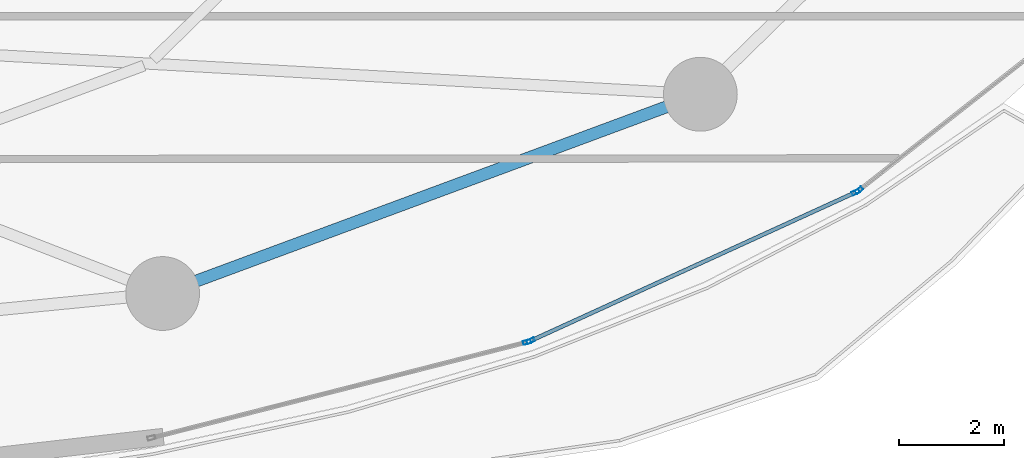
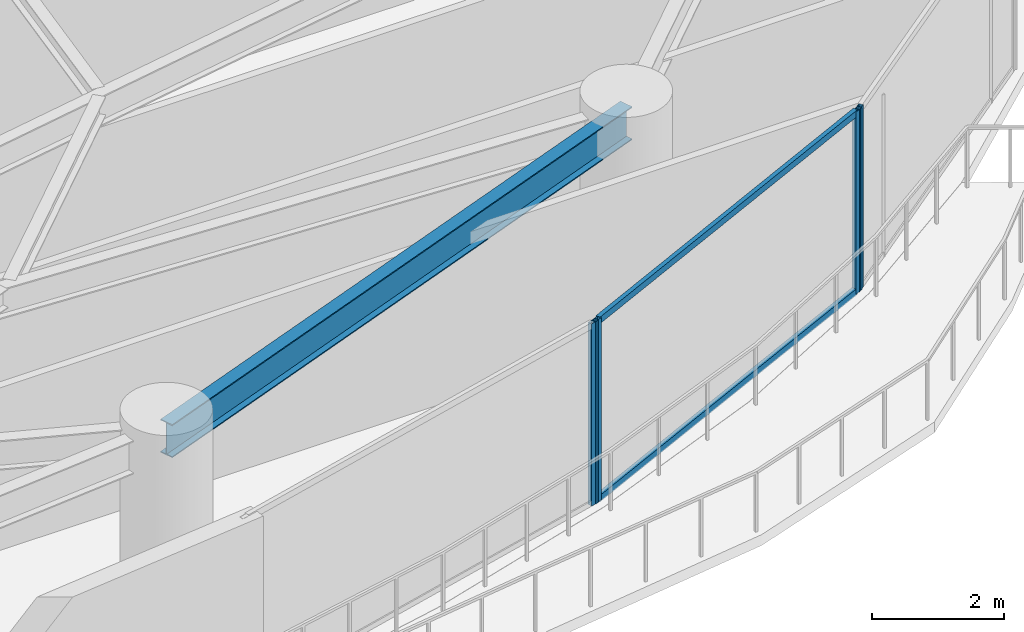
# One storey, part 13 of 32: 6 members, 1 beam, 3 elements without a shape of their own.
"""IFC4 building model written with IfcOpenShell, lengths in metres."""

from ifc_helpers import new_model, si_unit, direction, frame, origin, origin_2d, place, context, subcontext, project, spatial, hollow_rectangle, i_section, extrude, material, layer, layer_set, material_profile, profile_set, type_object, element, aggregate, save


model = new_model("IFC4")

# Units and contexts
model_context = context("Model", 3, precision=1e-05, world=origin(), true_north=direction((0.0, 1.0)))
body_context = subcontext(model_context, "Body", "Model", "MODEL_VIEW")
ifc_project = project(units=[si_unit("LENGTHUNIT", "METRE"), si_unit("AREAUNIT", "SQUARE_METRE"), si_unit("VOLUMEUNIT", "CUBIC_METRE"), si_unit("PLANEANGLEUNIT", "RADIAN"), si_unit("MASSUNIT", "GRAM", prefix="KILO")], contexts=[model_context])

# Site, building, storey
site_placement = place(None, origin())
site = spatial("IfcSite", under=ifc_project, at=site_placement, CompositionType="ELEMENT")
building_placement = place(site_placement, origin())
building = spatial("IfcBuilding", under=site, at=building_placement, Name="Kazevale Care Tower and Concert Hall", CompositionType="ELEMENT")
storey_placement = place(building_placement, frame((0.0, 0.0, 34.800048828125)))
storey = spatial("IfcBuildingStorey", under=building, at=storey_placement, Name="L08", CompositionType="ELEMENT", Elevation=34.800048828125)

# Curtain wall, member
ifc_material_1 = material(Name="Aluminium 6063-T6 and Low-E Glass", Category="aluminium")
ifc_layer = layer(ifc_material_1, 0.179931640625)
ifc_layer_set = layer_set([ifc_layer], Name="Aluminium 6063-T6 and Low-E Glass")
curtain_wall_type = type_object("IfcCurtainWallType", Name="Sheltered Concave Balcony Curtain Wall CW-5", PredefinedType="NOTDEFINED", material=ifc_layer_set)
curtain_wall_1_placement = place(storey_placement, origin())
curtain_wall_1 = element("IfcCurtainWall", 1, at=curtain_wall_1_placement, inside=storey, type_object=curtain_wall_type, Name="cw:L08:f02", PredefinedType="NOTDEFINED")
ifc_material_2 = material(Name="Aluminium 6063-T6", Category="aluminium")
ifc_material_profile_1 = material_profile(ifc_material_2, hollow_rectangle(XDim=0.074951171875, YDim=0.14990234375, WallThickness=0.00390625, at=origin_2d()), Name="ALU75x150x4")
ifc_profile_set_1 = profile_set([ifc_material_profile_1], Name="Aluminium 6063-T6")
member_type_1 = type_object("IfcMemberType", Name="CW-5 Mullion ALU75x150x4", PredefinedType="MULLION", material=ifc_profile_set_1)
member_1_placement = place(storey_placement, frame((70.25146484375, 20.490234375, 0.0), z_axis=(0.0, 0.0, 1.0), x_axis=(0.617807548814, -0.78632934107, 0.0)))
member_1 = element("IfcMember", 2, at=member_1_placement, type_object=member_type_1, Name="CW-5 mullion 2", PredefinedType="MULLION", context=body_context, shape_type="SweptSolid", body=[
    extrude(hollow_rectangle(XDim=0.074951171875, YDim=0.14990234375, WallThickness=0.00390625, at=origin_2d()), origin(), (0.0, 0.0, 1.0), 3.35986328125),
])
aggregate(curtain_wall_1, [member_1])

# Curtain wall, members
curtain_wall_2_placement = place(storey_placement, origin())
curtain_wall_2 = element("IfcCurtainWall", 3, at=curtain_wall_2_placement, inside=storey, type_object=curtain_wall_type, Name="cw:L08:f03", PredefinedType="NOTDEFINED")
member_2_placement = place(storey_placement, frame((70.18798828125, 20.451416015625, 0.0), z_axis=(0.0, 0.0, 1.0), x_axis=(0.415659767773, -0.909520179795, 0.0)))
member_2 = element("IfcMember", 4, at=member_2_placement, type_object=member_type_1, Name="CW-5 mullion 1", PredefinedType="MULLION", context=body_context, shape_type="SweptSolid", body=[
    extrude(hollow_rectangle(XDim=0.074951171875, YDim=0.14990234375, WallThickness=0.00390625, at=origin_2d()), origin(), (0.0, 0.0, 1.0), 3.35986328125),
])
member_3_placement = place(storey_placement, frame((64.022216796875, 17.633544921875, 0.0), z_axis=(0.0, 0.0, 1.0), x_axis=(0.415659767773, -0.909520179795, 0.0)))
member_3 = element("IfcMember", 5, at=member_3_placement, type_object=member_type_1, Name="CW-5 mullion 2", PredefinedType="MULLION", context=body_context, shape_type="SweptSolid", body=[
    extrude(hollow_rectangle(XDim=0.074951171875, YDim=0.14990234375, WallThickness=0.00390625, at=origin_2d()), origin(), (0.0, 0.0, 1.0), 3.35986328125),
])

# Curtain wall, member
curtain_wall_3_placement = place(storey_placement, origin())
curtain_wall_3 = element("IfcCurtainWall", 6, at=curtain_wall_3_placement, inside=storey, type_object=curtain_wall_type, Name="cw:L08:f04", PredefinedType="NOTDEFINED")
member_4_placement = place(storey_placement, frame((63.95166015625, 17.608642578125, 0.0), z_axis=(0.0, 0.0, 1.0), x_axis=(0.247221864936, -0.968958899798, 0.0)))
member_4 = element("IfcMember", 7, at=member_4_placement, type_object=member_type_1, Name="CW-5 mullion 1", PredefinedType="MULLION", context=body_context, shape_type="SweptSolid", body=[
    extrude(hollow_rectangle(XDim=0.074951171875, YDim=0.14990234375, WallThickness=0.00390625, at=origin_2d()), origin(), (0.0, 0.0, 1.0), 3.35986328125),
])
aggregate(curtain_wall_3, [member_4])

# Member
ifc_material_profile_2 = material_profile(ifc_material_2, hollow_rectangle(XDim=0.074951171875, YDim=0.1201171875, WallThickness=0.00390625, at=origin_2d()), Name="ALU75x120x4")
ifc_profile_set_2 = profile_set([ifc_material_profile_2], Name="Aluminium 6063-T6")
member_type_2 = type_object("IfcMemberType", Name="CW-5 Transom ALU75x120x4", PredefinedType="USERDEFINED", material=ifc_profile_set_2)
member_5_placement = place(storey_placement, frame((70.15380859375, 20.435791015625, 0.037353515625), z_axis=(-0.909524040017, -0.415651320978, 0.0), x_axis=(0.415651320978, -0.909524040017, 0.0)))
member_5 = element("IfcMember", 8, at=member_5_placement, type_object=member_type_2, Name="CW-5 transom 1.1", ObjectType="TRANSOM", PredefinedType="USERDEFINED", context=body_context, shape_type="SweptSolid", body=[
    extrude(hollow_rectangle(XDim=0.074951171875, YDim=0.1201171875, WallThickness=0.00390625, at=origin_2d()), origin(), (0.0, 0.0, 1.0), 6.704345703125),
])

member_6_placement = place(storey_placement, frame((70.15380859375, 20.435791015625, 3.322509765625), z_axis=(-0.909524040017, -0.415651320978, 0.0), x_axis=(0.415651320978, -0.909524040017, 0.0)))
member_6 = element("IfcMember", 9, at=member_6_placement, type_object=member_type_2, Name="CW-5 transom 1.2", ObjectType="TRANSOM", PredefinedType="USERDEFINED", context=body_context, shape_type="SweptSolid", body=[
    extrude(hollow_rectangle(XDim=0.074951171875, YDim=0.1201171875, WallThickness=0.00390625, at=origin_2d()), origin(), (0.0, 0.0, 1.0), 6.704345703125),
])

aggregate(curtain_wall_2, [member_2, member_3, member_5, member_6])

# Beam
ifc_material_3 = material(Name="Steel ASTM A572 Gr 50", Category="steel")
ifc_material_profile_3 = material_profile(ifc_material_3, i_section(OverallWidth=0.22900390625, OverallDepth=0.612060546875, WebThickness=0.011962890625, FlangeThickness=0.01953125, at=origin_2d()), Name="W610x125")
ifc_profile_set_3 = profile_set([ifc_material_profile_3], Name="Steel ASTM A572 Gr 50")
beam_type = type_object("IfcBeamType", Name="Ring Spandrel Beam W610x125", PredefinedType="SPANDREL", material=ifc_profile_set_3)
beam_placement = place(storey_placement, frame((57.0400390625, 18.530029296875, 3.053955078125), z_axis=(0.937680788596, 0.347497825458, 0.0), x_axis=(-0.347497825458, 0.937680788596, 0.0)))
element("IfcBeam", 10, at=beam_placement, inside=storey, type_object=beam_type, Name="beam:L08:ring:14", PredefinedType="SPANDREL", context=body_context, shape_type="SweptSolid", body=[
    extrude(i_section(OverallWidth=0.22900390625, OverallDepth=0.612060546875, WebThickness=0.011962890625, FlangeThickness=0.01953125, at=origin_2d()), origin(), (0.0, 0.0, 1.0), 10.8779296875),
])

save(model, "model.ifc")
